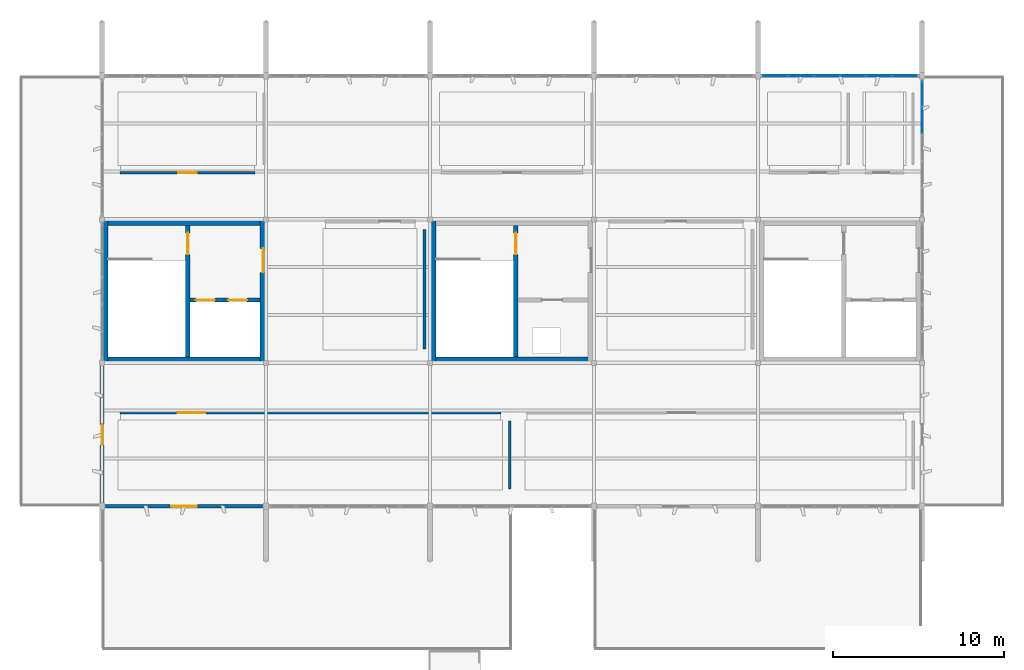
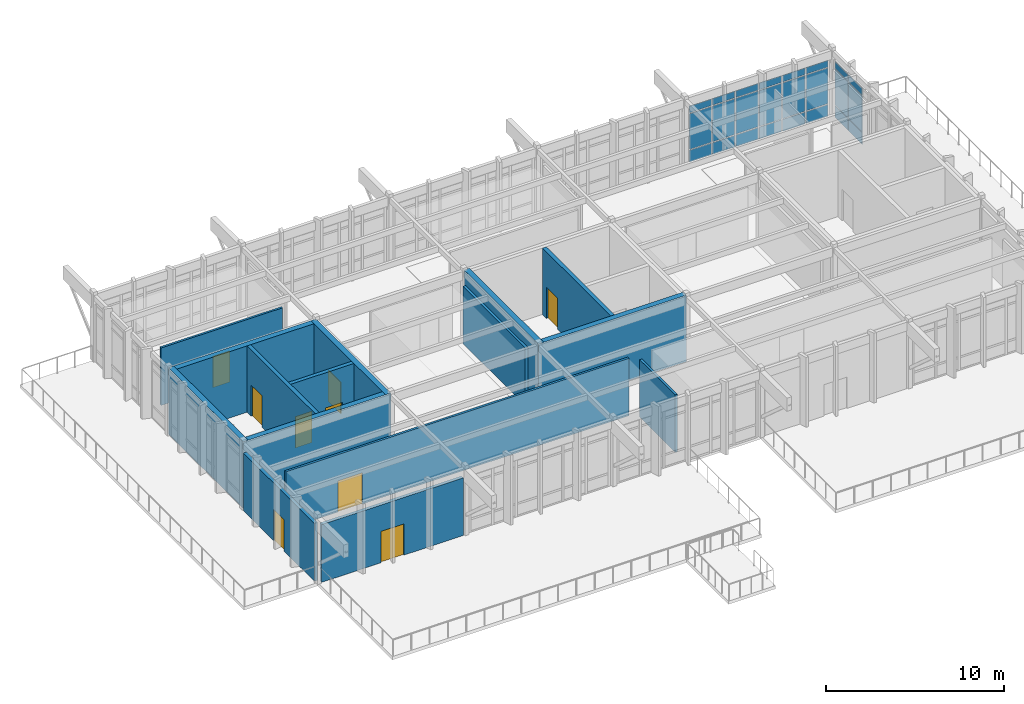
# One storey, part 15 of 19: 24 plates, 15 walls, 9 doors, 9 openings, 2 elements without a shape of their own.
"""IFC4 building model written with IfcOpenShell, lengths in metres."""

from ifc_helpers import new_model, si_unit, direction, frame, frame_2d, origin, origin_2d, place, context, subcontext, project, spatial, rectangle, extrude, material, layer, layer_set, type_object, element, fill, aggregate, save


model = new_model("IFC4")

# Units and contexts
model_context = context("Model", 3, precision=1e-05, world=origin(), true_north=direction((0.0, 1.0)))
body_context = subcontext(model_context, "Body", "Model", "MODEL_VIEW")
ifc_project = project(units=[si_unit("LENGTHUNIT", "METRE"), si_unit("AREAUNIT", "SQUARE_METRE"), si_unit("VOLUMEUNIT", "CUBIC_METRE"), si_unit("PLANEANGLEUNIT", "RADIAN"), si_unit("MASSUNIT", "GRAM", prefix="KILO")], contexts=[model_context])

# Site, building, storey
site_placement = place(None, origin())
site = spatial("IfcSite", under=ifc_project, at=site_placement, CompositionType="ELEMENT")
building_placement = place(site_placement, origin())
building = spatial("IfcBuilding", under=site, at=building_placement, Name="Kolvemor Railside Polytechnic", CompositionType="ELEMENT")
storey_placement = place(building_placement, frame((0.0, 0.0, 27.0)))
storey = spatial("IfcBuildingStorey", under=building, at=storey_placement, Name="L06", CompositionType="ELEMENT", Elevation=27.0)

# Curtain wall, plates
ifc_material_1 = material(Name="Anodised marine aluminium and laminated low-E glass", Category="aluminium")
ifc_layer_1 = layer(ifc_material_1, 0.179931640625, Name="CW-STICK-LIB")
ifc_layer_set_1 = layer_set([ifc_layer_1], Name="Anodised marine aluminium and laminated low-E glass")
curtain_wall_type = type_object("IfcCurtainWallType", Name="CW-STICK-LIB", PredefinedType="USERDEFINED", material=ifc_layer_set_1)
curtain_wall_1_placement = place(storey_placement, origin())
curtain_wall_1 = element("IfcCurtainWall", 1, at=curtain_wall_1_placement, inside=storey, type_object=curtain_wall_type, Name="Curtain Wall L06-152", ObjectType="STICK GLAZED SCREEN", PredefinedType="USERDEFINED")
ifc_material_2 = material(Name="Hurricane-laminated solar-control low-E glass", Category="glass")
ifc_layer_2 = layer(ifc_material_2, 0.035888671875, Name="CWP-GLZ-08")
ifc_layer_set_2 = layer_set([ifc_layer_2], Name="Hurricane-laminated solar-control low-E glass")
plate_type_1 = type_object("IfcPlateType", Name="CWP-GLZ-08", PredefinedType="CURTAIN_PANEL", material=ifc_layer_set_2)
plate_1_placement = place(storey_placement, frame((115.199951171875, 35.783935546875, 0.06494140625), z_axis=(0.0, 0.0, 1.0), x_axis=(0.0, 1.0, 0.0)))
plate_1 = element("IfcPlate", 2, at=plate_1_placement, type_object=plate_type_1, Name="CW-LIB panel 4.1", PredefinedType="CURTAIN_PANEL", context=body_context, shape_type="SweptSolid", body=[
    extrude(rectangle(XDim=1.51904296875, YDim=0.035888671875, at=origin_2d()), origin(), (0.0, 0.0, 1.0), 0.802490234375),
])
plate_2_placement = place(storey_placement, frame((115.199951171875, 35.783935546875, 0.9326171875), z_axis=(0.0, 0.0, 1.0), x_axis=(0.0, 1.0, 0.0)))
plate_2 = element("IfcPlate", 3, at=plate_2_placement, type_object=plate_type_1, Name="CW-LIB panel 4.2", PredefinedType="CURTAIN_PANEL", context=body_context, shape_type="SweptSolid", body=[
    extrude(rectangle(XDim=1.51904296875, YDim=0.035888671875, at=origin_2d()), origin(), (0.0, 0.0, 1.0), 2.449951171875),
])
plate_3_placement = place(storey_placement, frame((115.199951171875, 35.783935546875, 3.44775390625), z_axis=(0.0, 0.0, 1.0), x_axis=(0.0, 1.0, 0.0)))
plate_3 = element("IfcPlate", 4, at=plate_3_placement, type_object=plate_type_1, Name="CW-LIB panel 4.3", PredefinedType="CURTAIN_PANEL", context=body_context, shape_type="SweptSolid", body=[
    extrude(rectangle(XDim=1.51904296875, YDim=0.035888671875, at=origin_2d()), origin(), (0.0, 0.0, 1.0), 0.452392578125),
])
plate_4_placement = place(storey_placement, frame((115.199951171875, 37.351806640625, 0.06494140625), z_axis=(0.0, 0.0, 1.0), x_axis=(0.0, 1.0, 0.0)))
plate_4 = element("IfcPlate", 5, at=plate_4_placement, type_object=plate_type_1, Name="CW-LIB panel 5.1", PredefinedType="CURTAIN_PANEL", context=body_context, shape_type="SweptSolid", body=[
    extrude(rectangle(XDim=1.486572265625, YDim=0.035888671875, at=origin_2d()), origin(), (0.0, 0.0, 1.0), 0.802490234375),
])
plate_5_placement = place(storey_placement, frame((115.199951171875, 37.351806640625, 0.9326171875), z_axis=(0.0, 0.0, 1.0), x_axis=(0.0, 1.0, 0.0)))
plate_5 = element("IfcPlate", 6, at=plate_5_placement, type_object=plate_type_1, Name="CW-LIB panel 5.2", PredefinedType="CURTAIN_PANEL", context=body_context, shape_type="SweptSolid", body=[
    extrude(rectangle(XDim=1.486572265625, YDim=0.035888671875, at=origin_2d()), origin(), (0.0, 0.0, 1.0), 2.449951171875),
])
plate_6_placement = place(storey_placement, frame((115.199951171875, 37.351806640625, 3.44775390625), z_axis=(0.0, 0.0, 1.0), x_axis=(0.0, 1.0, 0.0)))
plate_6 = element("IfcPlate", 7, at=plate_6_placement, type_object=plate_type_1, Name="CW-LIB panel 5.3", PredefinedType="CURTAIN_PANEL", context=body_context, shape_type="SweptSolid", body=[
    extrude(rectangle(XDim=1.486572265625, YDim=0.035888671875, at=origin_2d()), origin(), (0.0, 0.0, 1.0), 0.452392578125),
])
aggregate(curtain_wall_1, [plate_1, plate_2, plate_3, plate_4, plate_5, plate_6])

curtain_wall_2_placement = place(storey_placement, origin())
curtain_wall_2 = element("IfcCurtainWall", 8, at=curtain_wall_2_placement, inside=storey, type_object=curtain_wall_type, Name="Curtain Wall L06-148", ObjectType="STICK GLAZED SCREEN", PredefinedType="USERDEFINED")
ifc_material_3 = material(Name="Hurricane-laminated solar-control low-E glass", Category="glass")
ifc_layer_3 = layer(ifc_material_3, 0.0419921875, Name="CWP-GLZ-11")
ifc_layer_set_3 = layer_set([ifc_layer_3], Name="Hurricane-laminated solar-control low-E glass")
plate_type_2 = type_object("IfcPlateType", Name="CWP-GLZ-11", PredefinedType="CURTAIN_PANEL", material=ifc_layer_set_3)
plate_7_placement = place(storey_placement, frame((114.183837890625, 38.39990234375, 0.06494140625), z_axis=(0.0, 0.0, 1.0), x_axis=(-1.0, 0.0, 0.0)))
plate_7 = element("IfcPlate", 9, at=plate_7_placement, type_object=plate_type_2, Name="CW-LIB panel 1.1", PredefinedType="CURTAIN_PANEL", context=body_context, shape_type="SweptSolid", body=[
    extrude(rectangle(XDim=1.422607421875, YDim=0.0419921875, at=origin_2d()), origin(), (0.0, 0.0, 1.0), 0.802490234375),
])
plate_8_placement = place(storey_placement, frame((114.183837890625, 38.39990234375, 0.9326171875), z_axis=(0.0, 0.0, 1.0), x_axis=(-1.0, 0.0, 0.0)))
plate_8 = element("IfcPlate", 10, at=plate_8_placement, type_object=plate_type_2, Name="CW-LIB panel 1.2", PredefinedType="CURTAIN_PANEL", context=body_context, shape_type="SweptSolid", body=[
    extrude(rectangle(XDim=1.422607421875, YDim=0.0419921875, at=origin_2d()), origin(), (0.0, 0.0, 1.0), 2.449951171875),
])
plate_9_placement = place(storey_placement, frame((114.183837890625, 38.39990234375, 3.44775390625), z_axis=(0.0, 0.0, 1.0), x_axis=(-1.0, 0.0, 0.0)))
plate_9 = element("IfcPlate", 11, at=plate_9_placement, type_object=plate_type_2, Name="CW-LIB panel 1.3", PredefinedType="CURTAIN_PANEL", context=body_context, shape_type="SweptSolid", body=[
    extrude(rectangle(XDim=1.422607421875, YDim=0.0419921875, at=origin_2d()), origin(), (0.0, 0.0, 1.0), 0.452392578125),
])
plate_10_placement = place(storey_placement, frame((112.679931640625, 38.39990234375, 0.06494140625), z_axis=(0.0, 0.0, 1.0), x_axis=(-1.0, 0.0, 0.0)))
plate_10 = element("IfcPlate", 12, at=plate_10_placement, type_object=plate_type_2, Name="CW-LIB panel 2.1", PredefinedType="CURTAIN_PANEL", context=body_context, shape_type="SweptSolid", body=[
    extrude(rectangle(XDim=1.455078125, YDim=0.0419921875, at=origin_2d()), origin(), (0.0, 0.0, 1.0), 0.802490234375),
])
plate_11_placement = place(storey_placement, frame((112.679931640625, 38.39990234375, 0.9326171875), z_axis=(0.0, 0.0, 1.0), x_axis=(-1.0, 0.0, 0.0)))
plate_11 = element("IfcPlate", 13, at=plate_11_placement, type_object=plate_type_2, Name="CW-LIB panel 2.2", PredefinedType="CURTAIN_PANEL", context=body_context, shape_type="SweptSolid", body=[
    extrude(rectangle(XDim=1.455078125, YDim=0.0419921875, at=origin_2d()), origin(), (0.0, 0.0, 1.0), 2.449951171875),
])
plate_12_placement = place(storey_placement, frame((112.679931640625, 38.39990234375, 3.44775390625), z_axis=(0.0, 0.0, 1.0), x_axis=(-1.0, 0.0, 0.0)))
plate_12 = element("IfcPlate", 14, at=plate_12_placement, type_object=plate_type_2, Name="CW-LIB panel 2.3", PredefinedType="CURTAIN_PANEL", context=body_context, shape_type="SweptSolid", body=[
    extrude(rectangle(XDim=1.455078125, YDim=0.0419921875, at=origin_2d()), origin(), (0.0, 0.0, 1.0), 0.452392578125),
])
plate_13_placement = place(storey_placement, frame((111.159912109375, 38.39990234375, 0.06494140625), z_axis=(0.0, 0.0, 1.0), x_axis=(-1.0, 0.0, 0.0)))
plate_13 = element("IfcPlate", 15, at=plate_13_placement, type_object=plate_type_2, Name="CW-LIB panel 3.1", PredefinedType="CURTAIN_PANEL", context=body_context, shape_type="SweptSolid", body=[
    extrude(rectangle(XDim=1.455078125, YDim=0.0419921875, at=origin_2d()), origin(), (0.0, 0.0, 1.0), 0.802490234375),
])
plate_14_placement = place(storey_placement, frame((111.159912109375, 38.39990234375, 0.9326171875), z_axis=(0.0, 0.0, 1.0), x_axis=(-1.0, 0.0, 0.0)))
plate_14 = element("IfcPlate", 16, at=plate_14_placement, type_object=plate_type_2, Name="CW-LIB panel 3.2", PredefinedType="CURTAIN_PANEL", context=body_context, shape_type="SweptSolid", body=[
    extrude(rectangle(XDim=1.455078125, YDim=0.0419921875, at=origin_2d()), origin(), (0.0, 0.0, 1.0), 2.449951171875),
])
plate_15_placement = place(storey_placement, frame((111.159912109375, 38.39990234375, 3.44775390625), z_axis=(0.0, 0.0, 1.0), x_axis=(-1.0, 0.0, 0.0)))
plate_15 = element("IfcPlate", 17, at=plate_15_placement, type_object=plate_type_2, Name="CW-LIB panel 3.3", PredefinedType="CURTAIN_PANEL", context=body_context, shape_type="SweptSolid", body=[
    extrude(rectangle(XDim=1.455078125, YDim=0.0419921875, at=origin_2d()), origin(), (0.0, 0.0, 1.0), 0.452392578125),
])
plate_16_placement = place(storey_placement, frame((109.639892578125, 38.39990234375, 0.06494140625), z_axis=(0.0, 0.0, 1.0), x_axis=(-1.0, 0.0, 0.0)))
plate_16 = element("IfcPlate", 18, at=plate_16_placement, type_object=plate_type_2, Name="CW-LIB panel 4.1", PredefinedType="CURTAIN_PANEL", context=body_context, shape_type="SweptSolid", body=[
    extrude(rectangle(XDim=1.455078125, YDim=0.0419921875, at=origin_2d()), origin(), (0.0, 0.0, 1.0), 0.802490234375),
])
plate_17_placement = place(storey_placement, frame((109.639892578125, 38.39990234375, 0.9326171875), z_axis=(0.0, 0.0, 1.0), x_axis=(-1.0, 0.0, 0.0)))
plate_17 = element("IfcPlate", 19, at=plate_17_placement, type_object=plate_type_2, Name="CW-LIB panel 4.2", PredefinedType="CURTAIN_PANEL", context=body_context, shape_type="SweptSolid", body=[
    extrude(rectangle(XDim=1.455078125, YDim=0.0419921875, at=origin_2d()), origin(), (0.0, 0.0, 1.0), 2.449951171875),
])
plate_18_placement = place(storey_placement, frame((109.639892578125, 38.39990234375, 3.44775390625), z_axis=(0.0, 0.0, 1.0), x_axis=(-1.0, 0.0, 0.0)))
plate_18 = element("IfcPlate", 20, at=plate_18_placement, type_object=plate_type_2, Name="CW-LIB panel 4.3", PredefinedType="CURTAIN_PANEL", context=body_context, shape_type="SweptSolid", body=[
    extrude(rectangle(XDim=1.455078125, YDim=0.0419921875, at=origin_2d()), origin(), (0.0, 0.0, 1.0), 0.452392578125),
])
plate_19_placement = place(storey_placement, frame((108.1201171875, 38.39990234375, 0.06494140625), z_axis=(0.0, 0.0, 1.0), x_axis=(-1.0, 0.0, 0.0)))
plate_19 = element("IfcPlate", 21, at=plate_19_placement, type_object=plate_type_2, Name="CW-LIB panel 5.1", PredefinedType="CURTAIN_PANEL", context=body_context, shape_type="SweptSolid", body=[
    extrude(rectangle(XDim=1.455078125, YDim=0.0419921875, at=origin_2d()), origin(), (0.0, 0.0, 1.0), 0.802490234375),
])
plate_20_placement = place(storey_placement, frame((108.1201171875, 38.39990234375, 0.9326171875), z_axis=(0.0, 0.0, 1.0), x_axis=(-1.0, 0.0, 0.0)))
plate_20 = element("IfcPlate", 22, at=plate_20_placement, type_object=plate_type_2, Name="CW-LIB panel 5.2", PredefinedType="CURTAIN_PANEL", context=body_context, shape_type="SweptSolid", body=[
    extrude(rectangle(XDim=1.455078125, YDim=0.0419921875, at=origin_2d()), origin(), (0.0, 0.0, 1.0), 2.449951171875),
])
plate_21_placement = place(storey_placement, frame((108.1201171875, 38.39990234375, 3.44775390625), z_axis=(0.0, 0.0, 1.0), x_axis=(-1.0, 0.0, 0.0)))
plate_21 = element("IfcPlate", 23, at=plate_21_placement, type_object=plate_type_2, Name="CW-LIB panel 5.3", PredefinedType="CURTAIN_PANEL", context=body_context, shape_type="SweptSolid", body=[
    extrude(rectangle(XDim=1.455078125, YDim=0.0419921875, at=origin_2d()), origin(), (0.0, 0.0, 1.0), 0.452392578125),
])
plate_22_placement = place(storey_placement, frame((106.6162109375, 38.39990234375, 0.06494140625), z_axis=(0.0, 0.0, 1.0), x_axis=(-1.0, 0.0, 0.0)))
plate_22 = element("IfcPlate", 24, at=plate_22_placement, type_object=plate_type_2, Name="CW-LIB panel 6.1", PredefinedType="CURTAIN_PANEL", context=body_context, shape_type="SweptSolid", body=[
    extrude(rectangle(XDim=1.422607421875, YDim=0.0419921875, at=origin_2d()), origin(), (0.0, 0.0, 1.0), 0.802490234375),
])
plate_23_placement = place(storey_placement, frame((106.6162109375, 38.39990234375, 0.9326171875), z_axis=(0.0, 0.0, 1.0), x_axis=(-1.0, 0.0, 0.0)))
plate_23 = element("IfcPlate", 25, at=plate_23_placement, type_object=plate_type_2, Name="CW-LIB panel 6.2", PredefinedType="CURTAIN_PANEL", context=body_context, shape_type="SweptSolid", body=[
    extrude(rectangle(XDim=1.422607421875, YDim=0.0419921875, at=origin_2d()), origin(), (0.0, 0.0, 1.0), 2.449951171875),
])
plate_24_placement = place(storey_placement, frame((106.6162109375, 38.39990234375, 3.44775390625), z_axis=(0.0, 0.0, 1.0), x_axis=(-1.0, 0.0, 0.0)))
plate_24 = element("IfcPlate", 26, at=plate_24_placement, type_object=plate_type_2, Name="CW-LIB panel 6.3", PredefinedType="CURTAIN_PANEL", context=body_context, shape_type="SweptSolid", body=[
    extrude(rectangle(XDim=1.422607421875, YDim=0.0419921875, at=origin_2d()), origin(), (0.0, 0.0, 1.0), 0.452392578125),
])
aggregate(curtain_wall_2, [plate_7, plate_8, plate_9, plate_10, plate_11, plate_12, plate_13, plate_14, plate_15, plate_16, plate_17, plate_18, plate_19, plate_20, plate_21, plate_22, plate_23, plate_24])

# Walls
ifc_material_4 = material(Name="Concrete C40/50", Category="concrete")
ifc_layer_4 = layer(ifc_material_4, 0.35009765625, Name="WL-CORE-350")
ifc_layer_set_4 = layer_set([ifc_layer_4], Name="Concrete C40/50")
wall_type_1 = type_object("IfcWallType", Name="WL-CORE-350", PredefinedType="SHEAR", material=ifc_layer_set_4)
for number, where, z_axis, x_axis, name in (
    (27, (67.199951171875, 29.824951171875, 0.0), (0.0, 0.0, 1.0), (1.0, 0.0, 0.0), "CORE-1 North Core Wall L06"),
    (28, (67.199951171875, 21.77490234375, 0.0), (0.0, 0.0, 1.0), (1.0, 0.0, 0.0), "CORE-1 South Core Wall L06"),
):
    element("IfcWall", number, at=place(storey_placement, frame(where, z_axis=z_axis, x_axis=x_axis)), inside=storey, type_object=wall_type_1, Name=name, PredefinedType="SHEAR", context=body_context, shape_type="SweptSolid", body=[
        extrude(rectangle(XDim=9.60009765625, YDim=0.35009765625, at=frame_2d((4.800048828125, 0.0))), origin(), (0.0, 0.0, 1.0), 4.56494140625),
    ])
wall_1_placement = place(storey_placement, frame((67.375, 21.60009765625, 0.0), z_axis=(0.0, 0.0, 1.0), x_axis=(0.0, 1.0, 0.0)))
element("IfcWall", 29, at=wall_1_placement, inside=storey, type_object=wall_type_1, Name="CORE-1 West Core Wall L06", PredefinedType="SHEAR", context=body_context, shape_type="SweptSolid", body=[
    extrude(rectangle(XDim=8.39990234375, YDim=0.35009765625, at=frame_2d((4.199951171875, 0.0))), origin(), (0.0, 0.0, 1.0), 4.56494140625),
])

# Wall, opening, door
wall_2_placement = place(storey_placement, frame((76.625, 21.60009765625, 0.0), z_axis=(0.0, 0.0, 1.0), x_axis=(0.0, 1.0, 0.0)))
wall_2 = element("IfcWall", 30, at=wall_2_placement, inside=storey, type_object=wall_type_1, Name="CORE-1 East Core Wall L06", PredefinedType="SHEAR", context=body_context, shape_type="SweptSolid", body=[
    extrude(rectangle(XDim=8.39990234375, YDim=0.35009765625, at=frame_2d((4.199951171875, 0.0))), origin(), (0.0, 0.0, 1.0), 4.56494140625),
])
opening_1_placement = place(wall_2_placement, frame((5.300048828125, 0.0, 0.0)))
opening_1 = element("IfcOpeningElement", 31, at=opening_1_placement, cuts=wall_2, Name="Opening D-LOB-1-L06", PredefinedType="OPENING", context=body_context, shape_type="SweptSolid", body=[
    extrude(rectangle(XDim=1.39990234375, YDim=2.14990234375, at=frame_2d((0.699951171875, 1.074951171875))), frame((0.0, 0.18505859375, 0.0), z_axis=(0.0, -1.0, 0.0), x_axis=(1.0, 0.0, 0.0)), (0.0, 0.0, 1.0), 0.3701171875),
])
ifc_material_5 = material(Name="Fire-rated hardwood and brushed stainless-steel door", Category="steel")
door_type_1 = type_object("IfcDoorType", Name="DR-FD60-140x215", OperationType="NOTDEFINED", PredefinedType="DOOR", material=ifc_material_5)
door_1_placement = place(opening_1_placement, origin())
door_1 = element("IfcDoor", 32, at=door_1_placement, inside=storey, type_object=door_type_1, Name="Core Lobby Fire Door CORE-1 L06", OperationType="SINGLE_SWING_LEFT", OverallHeight=2.14990234375, OverallWidth=1.39990234375, PredefinedType="DOOR", context=body_context, shape_type="SweptSolid", body=[
    extrude(rectangle(XDim=1.39990234375, YDim=2.14990234375, at=frame_2d((0.699951171875, 1.074951171875))), frame((0.0, 0.02490234375, 0.0), z_axis=(0.0, -1.0, 0.0), x_axis=(1.0, 0.0, 0.0)), (0.0, 0.0, 1.0), 0.050048828125),
])
fill(opening_1, door_1)

# Walls
wall_3_placement = place(storey_placement, frame((86.39990234375, 21.77490234375, 0.0), z_axis=(0.0, 0.0, 1.0), x_axis=(1.0, 0.0, 0.0)))
element("IfcWall", 33, at=wall_3_placement, inside=storey, type_object=wall_type_1, Name="CORE-3 South Core Wall L06", PredefinedType="SHEAR", context=body_context, shape_type="SweptSolid", body=[
    extrude(rectangle(XDim=9.60009765625, YDim=0.35009765625, at=frame_2d((4.800048828125, 0.0))), origin(), (0.0, 0.0, 1.0), 4.56494140625),
])
wall_4_placement = place(storey_placement, frame((86.574951171875, 21.60009765625, 0.0), z_axis=(0.0, 0.0, 1.0), x_axis=(0.0, 1.0, 0.0)))
element("IfcWall", 34, at=wall_4_placement, inside=storey, type_object=wall_type_1, Name="CORE-3 West Core Wall L06", PredefinedType="SHEAR", context=body_context, shape_type="SweptSolid", body=[
    extrude(rectangle(XDim=8.39990234375, YDim=0.35009765625, at=frame_2d((4.199951171875, 0.0))), origin(), (0.0, 0.0, 1.0), 4.56494140625),
])

# Wall, opening, door
ifc_material_6 = material(Name="Cross-laminated timber CLT E1", Category="wood")
ifc_layer_5 = layer(ifc_material_6, 0.2099609375, Name="WL-EXT-TM-210")
ifc_layer_set_5 = layer_set([ifc_layer_5], Name="Cross-laminated timber CLT E1")
wall_type_2 = type_object("IfcWallType", Name="WL-EXT-TM-210", PredefinedType="SOLIDWALL", material=ifc_layer_set_5)
wall_5_placement = place(storey_placement, frame((67.39990234375, 13.199951171875, 0.0), z_axis=(0.0, 0.0, 1.0), x_axis=(1.0, 0.0, 0.0)))
wall_5 = element("IfcWall", 35, at=wall_5_placement, inside=storey, type_object=wall_type_2, Name="Exterior Wall L06-0182", PredefinedType="SOLIDWALL", context=body_context, shape_type="SweptSolid", body=[
    extrude(rectangle(XDim=9.2001953125, YDim=0.2099609375, at=frame_2d((4.60009765625, 0.0))), origin(), (0.0, 0.0, 1.0), 3.965087890625),
])
opening_2_placement = place(wall_5_placement, frame((3.85009765625, 0.0, 0.0)))
opening_2 = element("IfcOpeningElement", 36, at=opening_2_placement, cuts=wall_5, Name="Opening D-TER-L06S", PredefinedType="OPENING", context=body_context, shape_type="SweptSolid", body=[
    extrude(rectangle(XDim=1.5, YDim=2.14990234375, at=frame_2d((0.75, 1.074951171875))), frame((0.0, 0.114990234375, 0.0), z_axis=(0.0, -1.0, 0.0), x_axis=(1.0, 0.0, 0.0)), (0.0, 0.0, 1.0), 0.22998046875),
])
ifc_material_7 = material(Name="Marine-grade thermally broken aluminium and laminated glass door", Category="aluminium")
door_type_2 = type_object("IfcDoorType", Name="DR-TER-150x215", OperationType="NOTDEFINED", PredefinedType="DOOR", material=ifc_material_7)
door_2_placement = place(opening_2_placement, origin())
door_2 = element("IfcDoor", 37, at=door_2_placement, inside=storey, type_object=door_type_2, Name="Exterior Door D-TER-L06S", OperationType="SINGLE_SWING_LEFT", OverallHeight=2.14990234375, OverallWidth=1.5, PredefinedType="DOOR", context=body_context, shape_type="SweptSolid", body=[
    extrude(rectangle(XDim=1.5, YDim=2.14990234375, at=frame_2d((0.75, 1.074951171875))), frame((0.0, 0.02490234375, 0.0), z_axis=(0.0, -1.0, 0.0), x_axis=(1.0, 0.0, 0.0)), (0.0, 0.0, 1.0), 0.050048828125),
])
fill(opening_2, door_2)

wall_6_placement = place(storey_placement, frame((67.199951171875, 21.39990234375, 0.0), z_axis=(0.0, 0.0, 1.0), x_axis=(0.0, -1.0, 0.0)))
wall_6 = element("IfcWall", 38, at=wall_6_placement, inside=storey, type_object=wall_type_2, Name="Exterior Wall L06-0184", PredefinedType="SOLIDWALL", context=body_context, shape_type="SweptSolid", body=[
    extrude(rectangle(XDim=8.0, YDim=0.2099609375, at=frame_2d((4.0, 0.0))), origin(), (0.0, 0.0, 1.0), 3.965087890625),
])
opening_3_placement = place(wall_6_placement, frame((3.39990234375, 0.0, 0.0)))
opening_3 = element("IfcOpeningElement", 39, at=opening_3_placement, cuts=wall_6, Name="Opening D-TER-L06W", PredefinedType="OPENING", context=body_context, shape_type="SweptSolid", body=[
    extrude(rectangle(XDim=1.199951171875, YDim=2.14990234375, at=frame_2d((0.60009765625, 1.074951171875))), frame((0.0, 0.114990234375, 0.0), z_axis=(0.0, -1.0, 0.0), x_axis=(1.0, 0.0, 0.0)), (0.0, 0.0, 1.0), 0.22998046875),
])
ifc_material_8 = material(Name="Marine-grade thermally broken aluminium and laminated glass door", Category="aluminium")
door_type_3 = type_object("IfcDoorType", Name="DR-TER-120x215", OperationType="NOTDEFINED", PredefinedType="DOOR", material=ifc_material_8)
door_3_placement = place(opening_3_placement, origin())
door_3 = element("IfcDoor", 40, at=door_3_placement, inside=storey, type_object=door_type_3, Name="Exterior Door D-TER-L06W", OperationType="SINGLE_SWING_LEFT", OverallHeight=2.14990234375, OverallWidth=1.199951171875, PredefinedType="DOOR", context=body_context, shape_type="SweptSolid", body=[
    extrude(rectangle(XDim=1.199951171875, YDim=2.14990234375, at=frame_2d((0.60009765625, 1.074951171875))), frame((0.0, 0.02490234375, 0.0), z_axis=(0.0, -1.0, 0.0), x_axis=(1.0, 0.0, 0.0)), (0.0, 0.0, 1.0), 0.050048828125),
])
fill(opening_3, door_3)

ifc_material_9 = material(Name="Seminar acoustic partition")
ifc_layer_6 = layer(ifc_material_9, 0.139892578125, Name="WL-PART-140")
ifc_layer_set_6 = layer_set([ifc_layer_6], Name="Seminar acoustic partition")
wall_type_3 = type_object("IfcWallType", Name="WL-PART-140", PredefinedType="PARTITIONING", material=ifc_layer_set_6)
wall_7_placement = place(storey_placement, frame((68.25, 32.719970703125, 0.0), z_axis=(0.0, 0.0, 1.0), x_axis=(1.0, 0.0, 0.0)))
wall_7 = element("IfcWall", 41, at=wall_7_placement, inside=storey, type_object=wall_type_3, Name="Partition Wall L06-0233", PredefinedType="PARTITIONING", context=body_context, shape_type="SweptSolid", body=[
    extrude(rectangle(XDim=7.89990234375, YDim=0.139892578125, at=frame_2d((3.949951171875, 0.0))), origin(), (0.0, 0.0, 1.0), 3.945068359375),
])
opening_4_placement = place(wall_7_placement, frame((3.409912109375, 0.0, 0.0)))
opening_4 = element("IfcOpeningElement", 42, at=opening_4_placement, cuts=wall_7, Name="Opening D-06132", PredefinedType="OPENING", context=body_context, shape_type="SweptSolid", body=[
    extrude(rectangle(XDim=1.080078125, YDim=2.14990234375, at=frame_2d((0.5400390625, 1.074951171875))), frame((0.0, 0.079833984375, 0.0), z_axis=(0.0, -1.0, 0.0), x_axis=(1.0, 0.0, 0.0)), (0.0, 0.0, 1.0), 0.159912109375),
])
ifc_material_10 = material(Name="Solid hardwood acoustic door", Category="wood")
door_type_4 = type_object("IfcDoorType", Name="DR-SEM-108x215", OperationType="NOTDEFINED", PredefinedType="DOOR", material=ifc_material_10)
door_4_placement = place(opening_4_placement, origin())
door_4 = element("IfcDoor", 43, at=door_4_placement, inside=storey, type_object=door_type_4, Name="Room Door D-06132 (Library Seminar Room 601)", OperationType="SINGLE_SWING_LEFT", OverallHeight=2.14990234375, OverallWidth=1.080078125, PredefinedType="DOOR", context=body_context, shape_type="SweptSolid", body=[
    extrude(rectangle(XDim=1.080078125, YDim=2.14990234375, at=frame_2d((0.5400390625, 1.074951171875))), frame((0.0, 0.02490234375, 0.0), z_axis=(0.0, -1.0, 0.0), x_axis=(1.0, 0.0, 0.0)), (0.0, 0.0, 1.0), 0.050048828125),
])
fill(opening_4, door_4)

ifc_material_11 = material(Name="Acoustic studio partition")
ifc_layer_7 = layer(ifc_material_11, 0.14990234375, Name="WL-PART-150")
ifc_layer_set_7 = layer_set([ifc_layer_7], Name="Acoustic studio partition")
wall_type_4 = type_object("IfcWallType", Name="WL-PART-150", PredefinedType="PARTITIONING", material=ifc_layer_set_7)
wall_8_placement = place(storey_placement, frame((68.25, 18.679931640625, 0.0), z_axis=(0.0, 0.0, 1.0), x_axis=(1.0, 0.0, 0.0)))
wall_8 = element("IfcWall", 44, at=wall_8_placement, inside=storey, type_object=wall_type_4, Name="Partition Wall L06-0225", PredefinedType="PARTITIONING", context=body_context, shape_type="SweptSolid", body=[
    extrude(rectangle(XDim=22.300048828125, YDim=0.14990234375, at=frame_2d((11.14990234375, 0.0))), origin(), (0.0, 0.0, 1.0), 3.945068359375),
])
opening_5_placement = place(wall_8_placement, frame((3.385009765625, 0.0, 0.0)))
opening_5 = element("IfcOpeningElement", 45, at=opening_5_placement, cuts=wall_8, Name="Opening D-06128", PredefinedType="OPENING", context=body_context, shape_type="SweptSolid", body=[
    extrude(rectangle(XDim=1.60009765625, YDim=2.14990234375, at=frame_2d((0.800048828125, 1.074951171875))), frame((0.0, 0.0849609375, 0.0), z_axis=(0.0, -1.0, 0.0), x_axis=(1.0, 0.0, 0.0)), (0.0, 0.0, 1.0), 0.169921875),
])
ifc_material_12 = material(Name="Fire-rated hardwood and brushed stainless-steel door", Category="steel")
door_type_5 = type_object("IfcDoorType", Name="DR-FD60-160x215", OperationType="NOTDEFINED", PredefinedType="DOOR", material=ifc_material_12)
door_5_placement = place(opening_5_placement, origin())
door_5 = element("IfcDoor", 46, at=door_5_placement, inside=storey, type_object=door_type_5, Name="Room Door D-06128 (Library Reading Commons West)", OperationType="SINGLE_SWING_LEFT", OverallHeight=2.14990234375, OverallWidth=1.60009765625, PredefinedType="DOOR", context=body_context, shape_type="SweptSolid", body=[
    extrude(rectangle(XDim=1.60009765625, YDim=2.14990234375, at=frame_2d((0.800048828125, 1.074951171875))), frame((0.0, 0.02490234375, 0.0), z_axis=(0.0, -1.0, 0.0), x_axis=(1.0, 0.0, 0.0)), (0.0, 0.0, 1.0), 0.050048828125),
])
fill(opening_5, door_5)

# Walls
wall_9_placement = place(storey_placement, frame((91.080078125, 14.199951171875, 0.0), z_axis=(0.0, 0.0, 1.0), x_axis=(0.0, 1.0, 0.0)))
element("IfcWall", 47, at=wall_9_placement, inside=storey, type_object=wall_type_4, Name="Demising Partition L06-0226", PredefinedType="PARTITIONING", context=body_context, shape_type="SweptSolid", body=[
    extrude(rectangle(XDim=4.0, YDim=0.14990234375, at=frame_2d((2.0, 0.0))), origin(), (0.0, 0.0, 1.0), 3.945068359375),
])
ifc_material_13 = material(Name="Fire-rated laboratory corridor partition")
ifc_layer_8 = layer(ifc_material_13, 0.1650390625, Name="WL-PART-165")
ifc_layer_set_8 = layer_set([ifc_layer_8], Name="Fire-rated laboratory corridor partition")
wall_type_5 = type_object("IfcWallType", Name="WL-PART-165", PredefinedType="PARTITIONING", material=ifc_layer_set_8)
wall_10_placement = place(storey_placement, frame((86.080078125, 22.39990234375, 0.0), z_axis=(0.0, 0.0, 1.0), x_axis=(0.0, 1.0, 0.0)))
element("IfcWall", 48, at=wall_10_placement, inside=storey, type_object=wall_type_5, Name="Demising Partition L06-0230", PredefinedType="PARTITIONING", context=body_context, shape_type="SweptSolid", body=[
    extrude(rectangle(XDim=7.0, YDim=0.1650390625, at=frame_2d((3.5, 0.0))), origin(), (0.0, 0.0, 1.0), 3.945068359375),
])

# Wall, opening, door
ifc_material_14 = material(Name="Concrete C40/50", Category="concrete")
ifc_layer_9 = layer(ifc_material_14, 0.25, Name="WL-SHFT-250")
ifc_layer_set_9 = layer_set([ifc_layer_9], Name="Concrete C40/50")
wall_type_6 = type_object("IfcWallType", Name="WL-SHFT-250", PredefinedType="SHEAR", material=ifc_layer_set_9)
wall_11_placement = place(storey_placement, frame((72.22509765625, 29.64990234375, 0.0), z_axis=(0.0, 0.0, 1.0), x_axis=(0.0, -1.0, 0.0)))
wall_11 = element("IfcWall", 49, at=wall_11_placement, inside=storey, type_object=wall_type_6, Name="CORE-1 Stair-Lobby Divider Wall L06", PredefinedType="SHEAR", context=body_context, shape_type="SweptSolid", body=[
    extrude(rectangle(XDim=7.699951171875, YDim=0.25, at=frame_2d((3.85009765625, 0.0))), origin(), (0.0, 0.0, 1.0), 4.56494140625),
])
opening_6_placement = place(wall_11_placement, frame((0.449951171875, 0.0, 0.0)))
opening_6 = element("IfcOpeningElement", 50, at=opening_6_placement, cuts=wall_11, Name="Opening D-ST-1-L06", PredefinedType="OPENING", context=body_context, shape_type="SweptSolid", body=[
    extrude(rectangle(XDim=1.25, YDim=2.14990234375, at=frame_2d((0.625, 1.074951171875))), frame((0.0, 0.135009765625, 0.0), z_axis=(0.0, -1.0, 0.0), x_axis=(1.0, 0.0, 0.0)), (0.0, 0.0, 1.0), 0.27001953125),
])
ifc_material_15 = material(Name="Fire-rated hardwood and brushed stainless-steel door", Category="steel")
door_type_6 = type_object("IfcDoorType", Name="DR-FD90-125x215", OperationType="NOTDEFINED", PredefinedType="DOOR", material=ifc_material_15)
door_6_placement = place(opening_6_placement, origin())
door_6 = element("IfcDoor", 51, at=door_6_placement, inside=storey, type_object=door_type_6, Name="Stair Fire Door ST-1 L06", OperationType="SINGLE_SWING_RIGHT", OverallHeight=2.14990234375, OverallWidth=1.25, PredefinedType="DOOR", context=body_context, shape_type="SweptSolid", body=[
    extrude(rectangle(XDim=1.25, YDim=2.14990234375, at=frame_2d((0.625, 1.074951171875))), frame((0.0, 0.02490234375, 0.0), z_axis=(0.0, -1.0, 0.0), x_axis=(1.0, 0.0, 0.0)), (0.0, 0.0, 1.0), 0.050048828125),
])
fill(opening_6, door_6)

# Wall, openings, doors
wall_12_placement = place(storey_placement, frame((72.35009765625, 25.27490234375, 0.0), z_axis=(0.0, 0.0, 1.0), x_axis=(1.0, 0.0, 0.0)))
wall_12 = element("IfcWall", 52, at=wall_12_placement, inside=storey, type_object=wall_type_6, Name="CORE-1 Lift Shaft Front Wall L06", PredefinedType="SHEAR", context=body_context, shape_type="SweptSolid", body=[
    extrude(rectangle(XDim=4.099853515625, YDim=0.25, at=frame_2d((2.0498046875, 0.0))), origin(), (0.0, 0.0, 1.0), 4.56494140625),
])
opening_7_placement = place(wall_12_placement, frame((0.35009765625, 0.0, 0.0)))
opening_7 = element("IfcOpeningElement", 53, at=opening_7_placement, cuts=wall_12, Name="Opening LD-FL-1-L06", PredefinedType="OPENING", context=body_context, shape_type="SweptSolid", body=[
    extrude(rectangle(XDim=1.10009765625, YDim=2.14990234375, at=frame_2d((0.550048828125, 1.074951171875))), frame((0.0, 0.135009765625, 0.0), z_axis=(0.0, -1.0, 0.0), x_axis=(1.0, 0.0, 0.0)), (0.0, 0.0, 1.0), 0.27001953125),
])
opening_8_placement = place(wall_12_placement, frame((2.25, 0.0, 0.0)))
opening_8 = element("IfcOpeningElement", 54, at=opening_8_placement, cuts=wall_12, Name="Opening LD-PL-1-L06", PredefinedType="OPENING", context=body_context, shape_type="SweptSolid", body=[
    extrude(rectangle(XDim=1.10009765625, YDim=2.14990234375, at=frame_2d((0.550048828125, 1.074951171875))), frame((0.0, 0.135009765625, 0.0), z_axis=(0.0, -1.0, 0.0), x_axis=(1.0, 0.0, 0.0)), (0.0, 0.0, 1.0), 0.27001953125),
])
ifc_material_16 = material(Name="Fire-rated hardwood and brushed stainless-steel door", Category="steel")
door_type_7 = type_object("IfcDoorType", Name="DR-LIFT-110x215", OperationType="SLIDING_TO_LEFT", PredefinedType="DOOR", material=ifc_material_16)
door_7_placement = place(opening_7_placement, origin())
door_7 = element("IfcDoor", 55, at=door_7_placement, inside=storey, type_object=door_type_7, Name="Lift Landing Sliding Door FL-1 L06", OperationType="SLIDING_TO_LEFT", OverallHeight=2.14990234375, OverallWidth=1.10009765625, PredefinedType="DOOR", context=body_context, shape_type="SweptSolid", body=[
    extrude(rectangle(XDim=1.10009765625, YDim=2.14990234375, at=frame_2d((0.550048828125, 1.074951171875))), frame((0.0, 0.02490234375, 0.0), z_axis=(0.0, -1.0, 0.0), x_axis=(1.0, 0.0, 0.0)), (0.0, 0.0, 1.0), 0.050048828125),
])
fill(opening_7, door_7)
door_8_placement = place(opening_8_placement, origin())
door_8 = element("IfcDoor", 56, at=door_8_placement, inside=storey, type_object=door_type_7, Name="Lift Landing Sliding Door PL-1 L06", OperationType="SLIDING_TO_LEFT", OverallHeight=2.14990234375, OverallWidth=1.10009765625, PredefinedType="DOOR", context=body_context, shape_type="SweptSolid", body=[
    extrude(rectangle(XDim=1.10009765625, YDim=2.14990234375, at=frame_2d((0.550048828125, 1.074951171875))), frame((0.0, 0.02490234375, 0.0), z_axis=(0.0, -1.0, 0.0), x_axis=(1.0, 0.0, 0.0)), (0.0, 0.0, 1.0), 0.050048828125),
])
fill(opening_8, door_8)

# Wall, opening, door
wall_13_placement = place(storey_placement, frame((91.425048828125, 29.64990234375, 0.0), z_axis=(0.0, 0.0, 1.0), x_axis=(0.0, -1.0, 0.0)))
wall_13 = element("IfcWall", 57, at=wall_13_placement, inside=storey, type_object=wall_type_6, Name="CORE-3 Stair-Lobby Divider Wall L06", PredefinedType="SHEAR", context=body_context, shape_type="SweptSolid", body=[
    extrude(rectangle(XDim=7.699951171875, YDim=0.25, at=frame_2d((3.85009765625, 0.0))), origin(), (0.0, 0.0, 1.0), 4.56494140625),
])
opening_9_placement = place(wall_13_placement, frame((0.449951171875, 0.0, 0.0)))
opening_9 = element("IfcOpeningElement", 58, at=opening_9_placement, cuts=wall_13, Name="Opening D-ST-3-L06", PredefinedType="OPENING", context=body_context, shape_type="SweptSolid", body=[
    extrude(rectangle(XDim=1.25, YDim=2.14990234375, at=frame_2d((0.625, 1.074951171875))), frame((0.0, 0.135009765625, 0.0), z_axis=(0.0, -1.0, 0.0), x_axis=(1.0, 0.0, 0.0)), (0.0, 0.0, 1.0), 0.27001953125),
])
door_9_placement = place(opening_9_placement, origin())
door_9 = element("IfcDoor", 59, at=door_9_placement, inside=storey, type_object=door_type_6, Name="Stair Fire Door ST-3 L06", OperationType="SINGLE_SWING_RIGHT", OverallHeight=2.14990234375, OverallWidth=1.25, PredefinedType="DOOR", context=body_context, shape_type="SweptSolid", body=[
    extrude(rectangle(XDim=1.25, YDim=2.14990234375, at=frame_2d((0.625, 1.074951171875))), frame((0.0, 0.02490234375, 0.0), z_axis=(0.0, -1.0, 0.0), x_axis=(1.0, 0.0, 0.0)), (0.0, 0.0, 1.0), 0.050048828125),
])
fill(opening_9, door_9)

save(model, "model.ifc")
